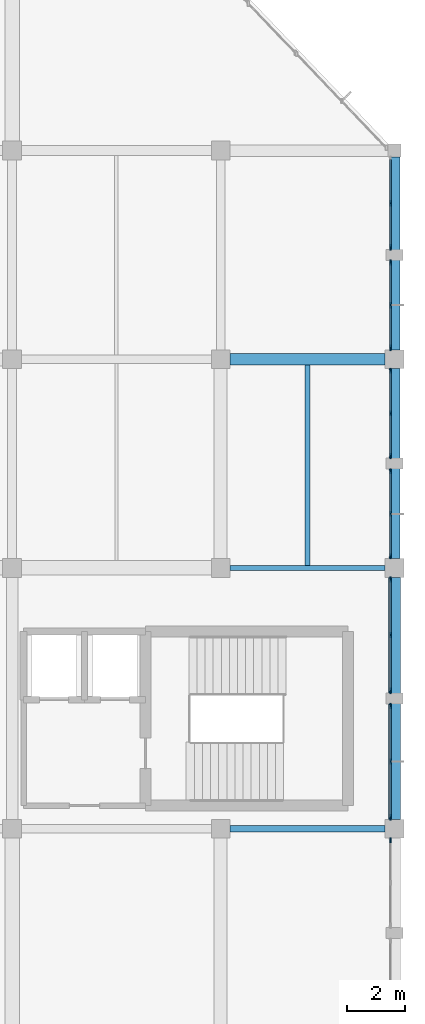
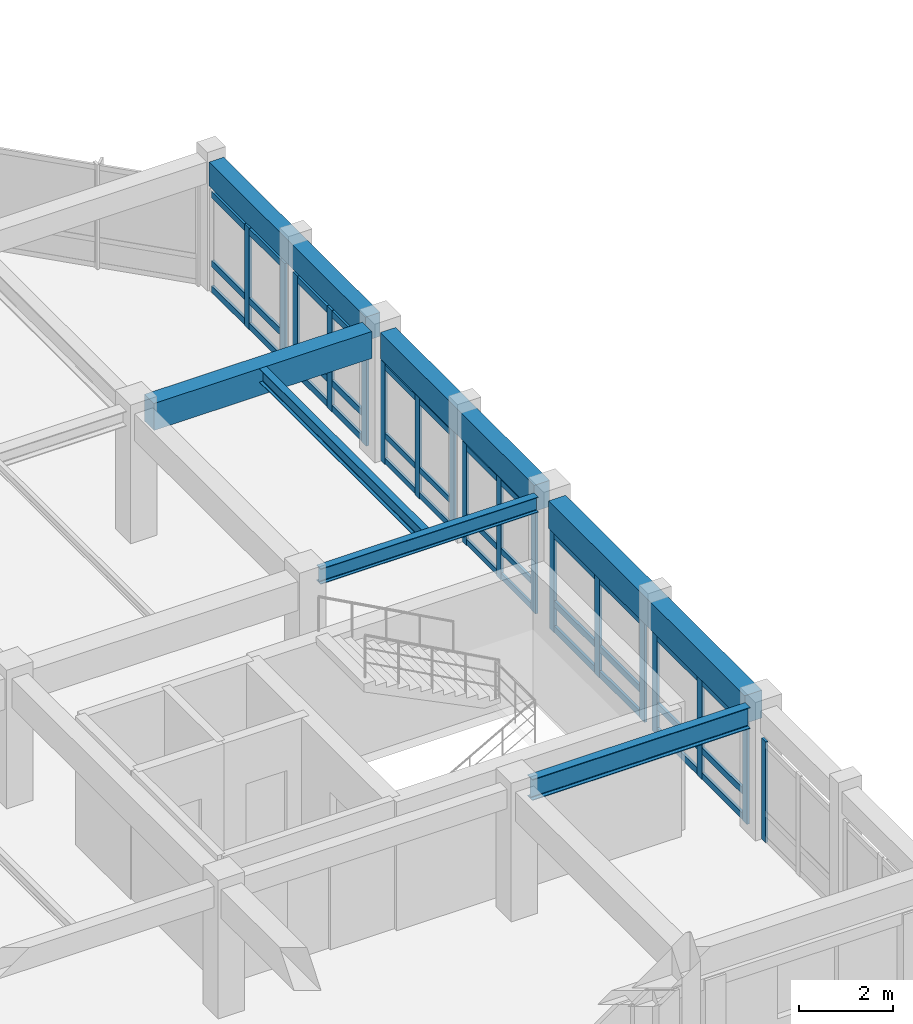
# One storey, part 6 of 18: 54 members, 7 beams, 7 elements without a shape of their own.
"""IFC4 building model written with IfcOpenShell, lengths in metres."""

from ifc_helpers import new_model, si_unit, direction, frame, origin, origin_2d, place, context, subcontext, project, spatial, rectangle, i_section, extrude, material, material_profile, profile_set, type_object, element, aggregate, save


model = new_model("IFC4")

# Units and contexts
model_context = context("Model", 3, precision=1e-05, world=origin(), true_north=direction((0.0, 1.0)))
body_context = subcontext(model_context, "Body", "Model", "MODEL_VIEW")
ifc_project = project(units=[si_unit("LENGTHUNIT", "METRE"), si_unit("AREAUNIT", "SQUARE_METRE"), si_unit("VOLUMEUNIT", "CUBIC_METRE"), si_unit("PLANEANGLEUNIT", "RADIAN"), si_unit("MASSUNIT", "GRAM", prefix="KILO")], contexts=[model_context])

# Site, building, storey
site_placement = place(None, origin())
site = spatial("IfcSite", under=ifc_project, at=site_placement, CompositionType="ELEMENT")
building_placement = place(site_placement, origin())
building = spatial("IfcBuilding", under=site, at=building_placement, Name="Clarverna Civic Hall", CompositionType="ELEMENT")
storey_placement = place(building_placement, frame((0.0, 0.0, 20.39990234375)))
storey = spatial("IfcBuildingStorey", under=building, at=storey_placement, Name="L05", CompositionType="ELEMENT", Elevation=20.39990234375)

# Beams
ifc_material_1 = material(Name="Concrete C35/45", Category="concrete")
ifc_material_profile_1 = material_profile(ifc_material_1, rectangle(XDim=0.39990234375, YDim=0.699951171875, at=origin_2d()), Name="RC 400x700")
ifc_profile_set_1 = profile_set([ifc_material_profile_1], Name="Concrete C35/45")
beam_type_1 = type_object("IfcBeamType", Name="B-RC5", PredefinedType="BEAM", material=ifc_profile_set_1)
beam_1_placement = place(storey_placement, frame((162.324951171875, 95.0, 2.989990234375), z_axis=(1.0, 0.0, 0.0), x_axis=(0.0, 1.0, 0.0)))
element("IfcBeam", 1, at=beam_1_placement, inside=storey, type_object=beam_type_1, Name="B-RC5-036", PredefinedType="BEAM", context=body_context, shape_type="SweptSolid", body=[
    extrude(rectangle(XDim=0.39990234375, YDim=0.699951171875, at=origin_2d()), origin(), (0.0, 0.0, 1.0), 5.35009765625),
])
ifc_material_profile_2 = material_profile(ifc_material_1, rectangle(XDim=0.419921875, YDim=0.719970703125, at=origin_2d()), Name="RC 420x720")
ifc_profile_set_2 = profile_set([ifc_material_profile_2], Name="Concrete C35/45")
beam_type_2 = type_object("IfcBeamType", Name="B-SP1", PredefinedType="SPANDREL", material=ifc_profile_set_2)
beam_2_placement = place(storey_placement, frame((168.0, 79.125, 2.97998046875), z_axis=(0.0, 1.0, 0.0), x_axis=(-1.0, 0.0, 0.0)))
element("IfcBeam", 2, at=beam_2_placement, inside=storey, type_object=beam_type_2, Name="B-SP1-149", PredefinedType="SPANDREL", context=body_context, shape_type="SweptSolid", body=[
    extrude(rectangle(XDim=0.419921875, YDim=0.719970703125, at=origin_2d()), origin(), (0.0, 0.0, 1.0), 8.35009765625),
])
ifc_material_profile_3 = material_profile(ifc_material_1, rectangle(XDim=0.3798828125, YDim=0.679931640625, at=origin_2d()), Name="RC 380x680")
ifc_profile_set_3 = profile_set([ifc_material_profile_3], Name="Concrete C35/45")
beam_type_3 = type_object("IfcBeamType", Name="B-SP2", PredefinedType="SPANDREL", material=ifc_profile_set_3)
beam_3_placement = place(storey_placement, frame((168.0, 88.125, 3.0), z_axis=(0.0, 1.0, 0.0), x_axis=(-1.0, 0.0, 0.0)))
element("IfcBeam", 3, at=beam_3_placement, inside=storey, type_object=beam_type_3, Name="B-SP2-156", PredefinedType="SPANDREL", context=body_context, shape_type="SweptSolid", body=[
    extrude(rectangle(XDim=0.3798828125, YDim=0.679931640625, at=origin_2d()), origin(), (0.0, 0.0, 1.0), 6.550048828125),
])
ifc_material_profile_4 = material_profile(ifc_material_1, rectangle(XDim=0.360107421875, YDim=0.6201171875, at=origin_2d()), Name="RC 360x620")
ifc_profile_set_4 = profile_set([ifc_material_profile_4], Name="Concrete C35/45")
beam_type_4 = type_object("IfcBeamType", Name="B-SP3", PredefinedType="SPANDREL", material=ifc_profile_set_4)
beam_4_placement = place(storey_placement, frame((168.0, 95.324951171875, 3.030029296875), z_axis=(0.0, 1.0, 0.0), x_axis=(-1.0, 0.0, 0.0)))
element("IfcBeam", 4, at=beam_4_placement, inside=storey, type_object=beam_type_4, Name="B-SP3-154", PredefinedType="SPANDREL", context=body_context, shape_type="SweptSolid", body=[
    extrude(rectangle(XDim=0.360107421875, YDim=0.6201171875, at=origin_2d()), origin(), (0.0, 0.0, 1.0), 6.650146484375),
])
ifc_material_2 = material(Name="Steel S355", Category="steel")
ifc_material_profile_5 = material_profile(ifc_material_2, i_section(OverallWidth=0.2099609375, OverallDepth=0.550048828125, WebThickness=0.010986328125, FlangeThickness=0.01708984375, FilletRadius=0.02392578125, at=origin_2d()), Name="IPE 550")
ifc_profile_set_5 = profile_set([ifc_material_profile_5], Name="Steel S355")
beam_type_5 = type_object("IfcBeamType", Name="B-ST11", PredefinedType="BEAM", material=ifc_profile_set_5)
beam_5_placement = place(storey_placement, frame((162.324951171875, 78.800048828125, 3.065185546875), z_axis=(1.0, 0.0, 0.0), x_axis=(0.0, 1.0, 0.0)))
element("IfcBeam", 5, at=beam_5_placement, inside=storey, type_object=beam_type_5, Name="B-ST11-023", PredefinedType="BEAM", context=body_context, shape_type="SweptSolid", body=[
    extrude(i_section(OverallWidth=0.2099609375, OverallDepth=0.550048828125, WebThickness=0.010986328125, FlangeThickness=0.01708984375, FilletRadius=0.02392578125, at=origin_2d()), origin(), (0.0, 0.0, 1.0), 5.35009765625),
])
ifc_material_profile_6 = material_profile(ifc_material_2, i_section(OverallWidth=0.179931640625, OverallDepth=0.39990234375, WebThickness=0.008544921875, FlangeThickness=0.013427734375, FilletRadius=0.02099609375, at=origin_2d()), Name="IPE 400")
ifc_profile_set_6 = profile_set([ifc_material_profile_6], Name="Steel S355")
beam_type_6 = type_object("IfcBeamType", Name="B-ST14", PredefinedType="BEAM", material=ifc_profile_set_6)
beam_6_placement = place(storey_placement, frame((162.324951171875, 87.800048828125, 3.14013671875), z_axis=(1.0, 0.0, 0.0), x_axis=(0.0, 1.0, 0.0)))
element("IfcBeam", 6, at=beam_6_placement, inside=storey, type_object=beam_type_6, Name="B-ST14-026", PredefinedType="BEAM", context=body_context, shape_type="SweptSolid", body=[
    extrude(i_section(OverallWidth=0.179931640625, OverallDepth=0.39990234375, WebThickness=0.008544921875, FlangeThickness=0.013427734375, FilletRadius=0.02099609375, at=origin_2d()), origin(), (0.0, 0.0, 1.0), 5.35009765625),
])

# Curtain wall, members
ifc_material_3 = material(Name="Anodised Bronze Architectural Aluminium", Category="aluminium")
curtain_wall_type = type_object("IfcCurtainWallType", Name="CW-01", PredefinedType="USERDEFINED", material=ifc_material_3)
curtain_wall_1_placement = place(storey_placement, origin())
curtain_wall_1 = element("IfcCurtainWall", 7, at=curtain_wall_1_placement, inside=storey, type_object=curtain_wall_type, Name="CW-01-107", ObjectType="UNITISED CURTAIN WALL", PredefinedType="USERDEFINED")
ifc_material_profile_7 = material_profile(ifc_material_3, rectangle(XDim=0.06005859375, YDim=0.179931640625, at=origin_2d()), Name="BRONZE 60x180")
ifc_profile_set_7 = profile_set([ifc_material_profile_7], Name="Anodised Bronze Architectural Aluminium")
member_type_1 = type_object("IfcMemberType", Name="CWM-01", PredefinedType="MULLION", material=ifc_profile_set_7)
member_1_placement = place(storey_placement, frame((167.860107421875, 94.60205078125, 0.0), z_axis=(0.0, 0.0, 1.0), x_axis=(1.0, 0.0, 0.0)))
member_1 = element("IfcMember", 8, at=member_1_placement, type_object=member_type_1, Name="CWM-01-201", PredefinedType="MULLION", context=body_context, shape_type="SweptSolid", body=[
    extrude(rectangle(XDim=0.06005859375, YDim=0.179931640625, at=origin_2d()), origin(), (0.0, 0.0, 1.0), 2.6201171875),
])
member_2_placement = place(storey_placement, frame((167.860107421875, 93.132568359375, 0.0), z_axis=(0.0, 0.0, 1.0), x_axis=(1.0, 0.0, 0.0)))
member_2 = element("IfcMember", 9, at=member_2_placement, type_object=member_type_1, Name="CWM-01-202", PredefinedType="MULLION", context=body_context, shape_type="SweptSolid", body=[
    extrude(rectangle(XDim=0.06005859375, YDim=0.179931640625, at=origin_2d()), origin(), (0.0, 0.0, 1.0), 2.6201171875),
])
member_3_placement = place(storey_placement, frame((167.860107421875, 91.6630859375, 0.0), z_axis=(0.0, 0.0, 1.0), x_axis=(1.0, 0.0, 0.0)))
member_3 = element("IfcMember", 10, at=member_3_placement, type_object=member_type_1, Name="CWM-01-203", PredefinedType="MULLION", context=body_context, shape_type="SweptSolid", body=[
    extrude(rectangle(XDim=0.06005859375, YDim=0.179931640625, at=origin_2d()), origin(), (0.0, 0.0, 1.0), 2.6201171875),
])

curtain_wall_2_placement = place(storey_placement, origin())
curtain_wall_2 = element("IfcCurtainWall", 11, at=curtain_wall_2_placement, inside=storey, type_object=curtain_wall_type, Name="CW-01-108", ObjectType="UNITISED CURTAIN WALL", PredefinedType="USERDEFINED")
member_4_placement = place(storey_placement, frame((167.860107421875, 91.136962890625, 0.0), z_axis=(0.0, 0.0, 1.0), x_axis=(1.0, 0.0, 0.0)))
member_4 = element("IfcMember", 12, at=member_4_placement, type_object=member_type_1, Name="CWM-01-204", PredefinedType="MULLION", context=body_context, shape_type="SweptSolid", body=[
    extrude(rectangle(XDim=0.06005859375, YDim=0.179931640625, at=origin_2d()), origin(), (0.0, 0.0, 1.0), 2.6201171875),
])
member_5_placement = place(storey_placement, frame((167.860107421875, 89.66748046875, 0.0), z_axis=(0.0, 0.0, 1.0), x_axis=(1.0, 0.0, 0.0)))
member_5 = element("IfcMember", 13, at=member_5_placement, type_object=member_type_1, Name="CWM-01-205", PredefinedType="MULLION", context=body_context, shape_type="SweptSolid", body=[
    extrude(rectangle(XDim=0.06005859375, YDim=0.179931640625, at=origin_2d()), origin(), (0.0, 0.0, 1.0), 2.6201171875),
])
member_6_placement = place(storey_placement, frame((167.860107421875, 88.197998046875, 0.0), z_axis=(0.0, 0.0, 1.0), x_axis=(1.0, 0.0, 0.0)))
member_6 = element("IfcMember", 14, at=member_6_placement, type_object=member_type_1, Name="CWM-01-206", PredefinedType="MULLION", context=body_context, shape_type="SweptSolid", body=[
    extrude(rectangle(XDim=0.06005859375, YDim=0.179931640625, at=origin_2d()), origin(), (0.0, 0.0, 1.0), 2.6201171875),
])

# Curtain wall, member
curtain_wall_3_placement = place(storey_placement, origin())
curtain_wall_3 = element("IfcCurtainWall", 15, at=curtain_wall_3_placement, inside=storey, type_object=curtain_wall_type, Name="CW-01-111", ObjectType="UNITISED CURTAIN WALL", PredefinedType="USERDEFINED")
member_7_placement = place(storey_placement, frame((167.860107421875, 78.402099609375, 0.0), z_axis=(0.0, 0.0, 1.0), x_axis=(1.0, 0.0, 0.0)))
member_7 = element("IfcMember", 16, at=member_7_placement, type_object=member_type_1, Name="CWM-01-207", PredefinedType="MULLION", context=body_context, shape_type="SweptSolid", body=[
    extrude(rectangle(XDim=0.06005859375, YDim=0.179931640625, at=origin_2d()), origin(), (0.0, 0.0, 1.0), 2.6201171875),
])
aggregate(curtain_wall_3, [member_7])

# Curtain wall, members
curtain_wall_4_placement = place(storey_placement, origin())
curtain_wall_4 = element("IfcCurtainWall", 17, at=curtain_wall_4_placement, inside=storey, type_object=curtain_wall_type, Name="CW-01-105", ObjectType="UNITISED CURTAIN WALL", PredefinedType="USERDEFINED")
ifc_material_profile_8 = material_profile(ifc_material_3, rectangle(XDim=0.06494140625, YDim=0.199951171875, at=origin_2d()), Name="BRONZE 65x200")
ifc_profile_set_8 = profile_set([ifc_material_profile_8], Name="Anodised Bronze Architectural Aluminium")
member_type_2 = type_object("IfcMemberType", Name="CWM-03", PredefinedType="MULLION", material=ifc_profile_set_8)
member_8_placement = place(storey_placement, frame((167.860107421875, 100.382568359375, 0.0), z_axis=(0.0, 0.0, 1.0), x_axis=(1.0, 0.0, 0.0)))
member_8 = element("IfcMember", 18, at=member_8_placement, type_object=member_type_2, Name="CWM-03-203", PredefinedType="MULLION", context=body_context, shape_type="SweptSolid", body=[
    extrude(rectangle(XDim=0.06494140625, YDim=0.199951171875, at=origin_2d()), origin(), (0.0, 0.0, 1.0), 2.64013671875),
])
member_9_placement = place(storey_placement, frame((167.860107421875, 98.863037109375, 0.0), z_axis=(0.0, 0.0, 1.0), x_axis=(1.0, 0.0, 0.0)))
member_9 = element("IfcMember", 19, at=member_9_placement, type_object=member_type_2, Name="CWM-03-204", PredefinedType="MULLION", context=body_context, shape_type="SweptSolid", body=[
    extrude(rectangle(XDim=0.06494140625, YDim=0.199951171875, at=origin_2d()), origin(), (0.0, 0.0, 1.0), 2.64013671875),
])

curtain_wall_5_placement = place(storey_placement, origin())
curtain_wall_5 = element("IfcCurtainWall", 20, at=curtain_wall_5_placement, inside=storey, type_object=curtain_wall_type, Name="CW-01-106", ObjectType="UNITISED CURTAIN WALL", PredefinedType="USERDEFINED")
member_10_placement = place(storey_placement, frame((167.860107421875, 98.3369140625, 0.0), z_axis=(0.0, 0.0, 1.0), x_axis=(1.0, 0.0, 0.0)))
member_10 = element("IfcMember", 21, at=member_10_placement, type_object=member_type_2, Name="CWM-03-205", PredefinedType="MULLION", context=body_context, shape_type="SweptSolid", body=[
    extrude(rectangle(XDim=0.06494140625, YDim=0.199951171875, at=origin_2d()), origin(), (0.0, 0.0, 1.0), 2.64013671875),
])
member_11_placement = place(storey_placement, frame((167.860107421875, 96.867431640625, 0.0), z_axis=(0.0, 0.0, 1.0), x_axis=(1.0, 0.0, 0.0)))
member_11 = element("IfcMember", 22, at=member_11_placement, type_object=member_type_2, Name="CWM-03-206", PredefinedType="MULLION", context=body_context, shape_type="SweptSolid", body=[
    extrude(rectangle(XDim=0.06494140625, YDim=0.199951171875, at=origin_2d()), origin(), (0.0, 0.0, 1.0), 2.64013671875),
])
member_12_placement = place(storey_placement, frame((167.860107421875, 95.39794921875, 0.0), z_axis=(0.0, 0.0, 1.0), x_axis=(1.0, 0.0, 0.0)))
member_12 = element("IfcMember", 23, at=member_12_placement, type_object=member_type_2, Name="CWM-03-207", PredefinedType="MULLION", context=body_context, shape_type="SweptSolid", body=[
    extrude(rectangle(XDim=0.06494140625, YDim=0.199951171875, at=origin_2d()), origin(), (0.0, 0.0, 1.0), 2.64013671875),
])

curtain_wall_6_placement = place(storey_placement, origin())
curtain_wall_6 = element("IfcCurtainWall", 24, at=curtain_wall_6_placement, inside=storey, type_object=curtain_wall_type, Name="CW-01-109", ObjectType="UNITISED CURTAIN WALL", PredefinedType="USERDEFINED")
member_13_placement = place(storey_placement, frame((167.860107421875, 87.402099609375, 0.0), z_axis=(0.0, 0.0, 1.0), x_axis=(1.0, 0.0, 0.0)))
member_13 = element("IfcMember", 25, at=member_13_placement, type_object=member_type_2, Name="CWM-03-208", PredefinedType="MULLION", context=body_context, shape_type="SweptSolid", body=[
    extrude(rectangle(XDim=0.06494140625, YDim=0.199951171875, at=origin_2d()), origin(), (0.0, 0.0, 1.0), 2.6201171875),
])
member_14_placement = place(storey_placement, frame((167.860107421875, 85.482421875, 0.0), z_axis=(0.0, 0.0, 1.0), x_axis=(1.0, 0.0, 0.0)))
member_14 = element("IfcMember", 26, at=member_14_placement, type_object=member_type_2, Name="CWM-03-209", PredefinedType="MULLION", context=body_context, shape_type="SweptSolid", body=[
    extrude(rectangle(XDim=0.06494140625, YDim=0.199951171875, at=origin_2d()), origin(), (0.0, 0.0, 1.0), 2.6201171875),
])
member_15_placement = place(storey_placement, frame((167.860107421875, 83.56298828125, 0.0), z_axis=(0.0, 0.0, 1.0), x_axis=(1.0, 0.0, 0.0)))
member_15 = element("IfcMember", 27, at=member_15_placement, type_object=member_type_2, Name="CWM-03-210", PredefinedType="MULLION", context=body_context, shape_type="SweptSolid", body=[
    extrude(rectangle(XDim=0.06494140625, YDim=0.199951171875, at=origin_2d()), origin(), (0.0, 0.0, 1.0), 2.6201171875),
])

curtain_wall_7_placement = place(storey_placement, origin())
curtain_wall_7 = element("IfcCurtainWall", 28, at=curtain_wall_7_placement, inside=storey, type_object=curtain_wall_type, Name="CW-01-110", ObjectType="UNITISED CURTAIN WALL", PredefinedType="USERDEFINED")
member_16_placement = place(storey_placement, frame((167.860107421875, 83.037109375, 0.0), z_axis=(0.0, 0.0, 1.0), x_axis=(1.0, 0.0, 0.0)))
member_16 = element("IfcMember", 29, at=member_16_placement, type_object=member_type_2, Name="CWM-03-211", PredefinedType="MULLION", context=body_context, shape_type="SweptSolid", body=[
    extrude(rectangle(XDim=0.06494140625, YDim=0.199951171875, at=origin_2d()), origin(), (0.0, 0.0, 1.0), 2.6201171875),
])
member_17_placement = place(storey_placement, frame((167.860107421875, 81.117431640625, 0.0), z_axis=(0.0, 0.0, 1.0), x_axis=(1.0, 0.0, 0.0)))
member_17 = element("IfcMember", 30, at=member_17_placement, type_object=member_type_2, Name="CWM-03-212", PredefinedType="MULLION", context=body_context, shape_type="SweptSolid", body=[
    extrude(rectangle(XDim=0.06494140625, YDim=0.199951171875, at=origin_2d()), origin(), (0.0, 0.0, 1.0), 2.6201171875),
])
member_18_placement = place(storey_placement, frame((167.860107421875, 79.197998046875, 0.0), z_axis=(0.0, 0.0, 1.0), x_axis=(1.0, 0.0, 0.0)))
member_18 = element("IfcMember", 31, at=member_18_placement, type_object=member_type_2, Name="CWM-03-213", PredefinedType="MULLION", context=body_context, shape_type="SweptSolid", body=[
    extrude(rectangle(XDim=0.06494140625, YDim=0.199951171875, at=origin_2d()), origin(), (0.0, 0.0, 1.0), 2.6201171875),
])

# Member
ifc_material_profile_9 = material_profile(ifc_material_3, rectangle(XDim=0.06005859375, YDim=0.14990234375, at=origin_2d()), Name="BRONZE 60x150")
ifc_profile_set_9 = profile_set([ifc_material_profile_9], Name="Anodised Bronze Architectural Aluminium")
member_type_3 = type_object("IfcMemberType", Name="CWT-01", PredefinedType="USERDEFINED", material=ifc_profile_set_9)
member_19_placement = place(storey_placement, frame((167.860107421875, 94.5869140625, 0.09521484375), z_axis=(0.0, -1.0, 0.0), x_axis=(1.0, 0.0, 0.0)))
member_19 = element("IfcMember", 32, at=member_19_placement, type_object=member_type_3, Name="CWT-01-430", ObjectType="TRANSOM", PredefinedType="USERDEFINED", context=body_context, shape_type="SweptSolid", body=[
    extrude(rectangle(XDim=0.06005859375, YDim=0.14990234375, at=origin_2d()), origin(), (0.0, 0.0, 1.0), 1.439453125),
])

member_20_placement = place(storey_placement, frame((167.860107421875, 94.5869140625, 0.75), z_axis=(0.0, -1.0, 0.0), x_axis=(1.0, 0.0, 0.0)))
member_20 = element("IfcMember", 33, at=member_20_placement, type_object=member_type_3, Name="CWT-01-431", ObjectType="TRANSOM", PredefinedType="USERDEFINED", context=body_context, shape_type="SweptSolid", body=[
    extrude(rectangle(XDim=0.06005859375, YDim=0.14990234375, at=origin_2d()), origin(), (0.0, 0.0, 1.0), 1.439453125),
])

member_21_placement = place(storey_placement, frame((167.860107421875, 94.5869140625, 2.525146484375), z_axis=(0.0, -1.0, 0.0), x_axis=(1.0, 0.0, 0.0)))
member_21 = element("IfcMember", 34, at=member_21_placement, type_object=member_type_3, Name="CWT-01-432", ObjectType="TRANSOM", PredefinedType="USERDEFINED", context=body_context, shape_type="SweptSolid", body=[
    extrude(rectangle(XDim=0.06005859375, YDim=0.14990234375, at=origin_2d()), origin(), (0.0, 0.0, 1.0), 1.439453125),
])

member_22_placement = place(storey_placement, frame((167.860107421875, 93.117431640625, 0.09521484375), z_axis=(0.0, -1.0, 0.0), x_axis=(1.0, 0.0, 0.0)))
member_22 = element("IfcMember", 35, at=member_22_placement, type_object=member_type_3, Name="CWT-01-433", ObjectType="TRANSOM", PredefinedType="USERDEFINED", context=body_context, shape_type="SweptSolid", body=[
    extrude(rectangle(XDim=0.06005859375, YDim=0.14990234375, at=origin_2d()), origin(), (0.0, 0.0, 1.0), 1.439453125),
])

member_23_placement = place(storey_placement, frame((167.860107421875, 93.117431640625, 0.75), z_axis=(0.0, -1.0, 0.0), x_axis=(1.0, 0.0, 0.0)))
member_23 = element("IfcMember", 36, at=member_23_placement, type_object=member_type_3, Name="CWT-01-434", ObjectType="TRANSOM", PredefinedType="USERDEFINED", context=body_context, shape_type="SweptSolid", body=[
    extrude(rectangle(XDim=0.06005859375, YDim=0.14990234375, at=origin_2d()), origin(), (0.0, 0.0, 1.0), 1.439453125),
])

member_24_placement = place(storey_placement, frame((167.860107421875, 93.117431640625, 2.525146484375), z_axis=(0.0, -1.0, 0.0), x_axis=(1.0, 0.0, 0.0)))
member_24 = element("IfcMember", 37, at=member_24_placement, type_object=member_type_3, Name="CWT-01-435", ObjectType="TRANSOM", PredefinedType="USERDEFINED", context=body_context, shape_type="SweptSolid", body=[
    extrude(rectangle(XDim=0.06005859375, YDim=0.14990234375, at=origin_2d()), origin(), (0.0, 0.0, 1.0), 1.439453125),
])

aggregate(curtain_wall_1, [member_1, member_2, member_3, member_19, member_20, member_21, member_22, member_23, member_24])

member_25_placement = place(storey_placement, frame((167.860107421875, 91.1220703125, 0.09521484375), z_axis=(0.0, -1.0, 0.0), x_axis=(1.0, 0.0, 0.0)))
member_25 = element("IfcMember", 38, at=member_25_placement, type_object=member_type_3, Name="CWT-01-436", ObjectType="TRANSOM", PredefinedType="USERDEFINED", context=body_context, shape_type="SweptSolid", body=[
    extrude(rectangle(XDim=0.06005859375, YDim=0.14990234375, at=origin_2d()), origin(), (0.0, 0.0, 1.0), 1.439453125),
])

member_26_placement = place(storey_placement, frame((167.860107421875, 91.1220703125, 0.75), z_axis=(0.0, -1.0, 0.0), x_axis=(1.0, 0.0, 0.0)))
member_26 = element("IfcMember", 39, at=member_26_placement, type_object=member_type_3, Name="CWT-01-437", ObjectType="TRANSOM", PredefinedType="USERDEFINED", context=body_context, shape_type="SweptSolid", body=[
    extrude(rectangle(XDim=0.06005859375, YDim=0.14990234375, at=origin_2d()), origin(), (0.0, 0.0, 1.0), 1.439453125),
])

member_27_placement = place(storey_placement, frame((167.860107421875, 91.1220703125, 2.525146484375), z_axis=(0.0, -1.0, 0.0), x_axis=(1.0, 0.0, 0.0)))
member_27 = element("IfcMember", 40, at=member_27_placement, type_object=member_type_3, Name="CWT-01-438", ObjectType="TRANSOM", PredefinedType="USERDEFINED", context=body_context, shape_type="SweptSolid", body=[
    extrude(rectangle(XDim=0.06005859375, YDim=0.14990234375, at=origin_2d()), origin(), (0.0, 0.0, 1.0), 1.439453125),
])

member_28_placement = place(storey_placement, frame((167.860107421875, 89.652587890625, 0.09521484375), z_axis=(0.0, -1.0, 0.0), x_axis=(1.0, 0.0, 0.0)))
member_28 = element("IfcMember", 41, at=member_28_placement, type_object=member_type_3, Name="CWT-01-439", ObjectType="TRANSOM", PredefinedType="USERDEFINED", context=body_context, shape_type="SweptSolid", body=[
    extrude(rectangle(XDim=0.06005859375, YDim=0.14990234375, at=origin_2d()), origin(), (0.0, 0.0, 1.0), 1.439697265625),
])

member_29_placement = place(storey_placement, frame((167.860107421875, 89.652587890625, 0.75), z_axis=(0.0, -1.0, 0.0), x_axis=(1.0, 0.0, 0.0)))
member_29 = element("IfcMember", 42, at=member_29_placement, type_object=member_type_3, Name="CWT-01-440", ObjectType="TRANSOM", PredefinedType="USERDEFINED", context=body_context, shape_type="SweptSolid", body=[
    extrude(rectangle(XDim=0.06005859375, YDim=0.14990234375, at=origin_2d()), origin(), (0.0, 0.0, 1.0), 1.439697265625),
])

member_30_placement = place(storey_placement, frame((167.860107421875, 89.652587890625, 2.525146484375), z_axis=(0.0, -1.0, 0.0), x_axis=(1.0, 0.0, 0.0)))
member_30 = element("IfcMember", 43, at=member_30_placement, type_object=member_type_3, Name="CWT-01-441", ObjectType="TRANSOM", PredefinedType="USERDEFINED", context=body_context, shape_type="SweptSolid", body=[
    extrude(rectangle(XDim=0.06005859375, YDim=0.14990234375, at=origin_2d()), origin(), (0.0, 0.0, 1.0), 1.439697265625),
])

aggregate(curtain_wall_2, [member_4, member_5, member_6, member_25, member_26, member_27, member_28, member_29, member_30])

ifc_material_profile_10 = material_profile(ifc_material_3, rectangle(XDim=0.06494140625, YDim=0.169921875, at=origin_2d()), Name="BRONZE 65x170")
ifc_profile_set_10 = profile_set([ifc_material_profile_10], Name="Anodised Bronze Architectural Aluminium")
member_type_4 = type_object("IfcMemberType", Name="CWT-03", PredefinedType="USERDEFINED", material=ifc_profile_set_10)
member_31_placement = place(storey_placement, frame((167.860107421875, 101.886962890625, 0.09521484375), z_axis=(0.0, -1.0, 0.0), x_axis=(1.0, 0.0, 0.0)))
member_31 = element("IfcMember", 44, at=member_31_placement, type_object=member_type_4, Name="CWT-03-430", ObjectType="TRANSOM", PredefinedType="USERDEFINED", context=body_context, shape_type="SweptSolid", body=[
    extrude(rectangle(XDim=0.06494140625, YDim=0.169921875, at=origin_2d()), origin(), (0.0, 0.0, 1.0), 1.489501953125),
])

member_32_placement = place(storey_placement, frame((167.860107421875, 101.886962890625, 0.75), z_axis=(0.0, -1.0, 0.0), x_axis=(1.0, 0.0, 0.0)))
member_32 = element("IfcMember", 45, at=member_32_placement, type_object=member_type_4, Name="CWT-03-431", ObjectType="TRANSOM", PredefinedType="USERDEFINED", context=body_context, shape_type="SweptSolid", body=[
    extrude(rectangle(XDim=0.06494140625, YDim=0.169921875, at=origin_2d()), origin(), (0.0, 0.0, 1.0), 1.489501953125),
])

member_33_placement = place(storey_placement, frame((167.860107421875, 101.886962890625, 2.545166015625), z_axis=(0.0, -1.0, 0.0), x_axis=(1.0, 0.0, 0.0)))
member_33 = element("IfcMember", 46, at=member_33_placement, type_object=member_type_4, Name="CWT-03-432", ObjectType="TRANSOM", PredefinedType="USERDEFINED", context=body_context, shape_type="SweptSolid", body=[
    extrude(rectangle(XDim=0.06494140625, YDim=0.169921875, at=origin_2d()), origin(), (0.0, 0.0, 1.0), 1.489501953125),
])

member_34_placement = place(storey_placement, frame((167.860107421875, 100.367431640625, 0.09521484375), z_axis=(0.0, -1.0, 0.0), x_axis=(1.0, 0.0, 0.0)))
member_34 = element("IfcMember", 47, at=member_34_placement, type_object=member_type_4, Name="CWT-03-433", ObjectType="TRANSOM", PredefinedType="USERDEFINED", context=body_context, shape_type="SweptSolid", body=[
    extrude(rectangle(XDim=0.06494140625, YDim=0.169921875, at=origin_2d()), origin(), (0.0, 0.0, 1.0), 1.489501953125),
])

member_35_placement = place(storey_placement, frame((167.860107421875, 100.367431640625, 0.75), z_axis=(0.0, -1.0, 0.0), x_axis=(1.0, 0.0, 0.0)))
member_35 = element("IfcMember", 48, at=member_35_placement, type_object=member_type_4, Name="CWT-03-434", ObjectType="TRANSOM", PredefinedType="USERDEFINED", context=body_context, shape_type="SweptSolid", body=[
    extrude(rectangle(XDim=0.06494140625, YDim=0.169921875, at=origin_2d()), origin(), (0.0, 0.0, 1.0), 1.489501953125),
])

member_36_placement = place(storey_placement, frame((167.860107421875, 100.367431640625, 2.545166015625), z_axis=(0.0, -1.0, 0.0), x_axis=(1.0, 0.0, 0.0)))
member_36 = element("IfcMember", 49, at=member_36_placement, type_object=member_type_4, Name="CWT-03-435", ObjectType="TRANSOM", PredefinedType="USERDEFINED", context=body_context, shape_type="SweptSolid", body=[
    extrude(rectangle(XDim=0.06494140625, YDim=0.169921875, at=origin_2d()), origin(), (0.0, 0.0, 1.0), 1.489501953125),
])

aggregate(curtain_wall_4, [member_8, member_9, member_31, member_32, member_33, member_34, member_35, member_36])

member_37_placement = place(storey_placement, frame((167.860107421875, 98.322021484375, 0.09521484375), z_axis=(0.0, -1.0, 0.0), x_axis=(1.0, 0.0, 0.0)))
member_37 = element("IfcMember", 50, at=member_37_placement, type_object=member_type_4, Name="CWT-03-436", ObjectType="TRANSOM", PredefinedType="USERDEFINED", context=body_context, shape_type="SweptSolid", body=[
    extrude(rectangle(XDim=0.06494140625, YDim=0.169921875, at=origin_2d()), origin(), (0.0, 0.0, 1.0), 1.439453125),
])

member_38_placement = place(storey_placement, frame((167.860107421875, 98.322021484375, 0.75), z_axis=(0.0, -1.0, 0.0), x_axis=(1.0, 0.0, 0.0)))
member_38 = element("IfcMember", 51, at=member_38_placement, type_object=member_type_4, Name="CWT-03-437", ObjectType="TRANSOM", PredefinedType="USERDEFINED", context=body_context, shape_type="SweptSolid", body=[
    extrude(rectangle(XDim=0.06494140625, YDim=0.169921875, at=origin_2d()), origin(), (0.0, 0.0, 1.0), 1.439453125),
])

member_39_placement = place(storey_placement, frame((167.860107421875, 98.322021484375, 2.545166015625), z_axis=(0.0, -1.0, 0.0), x_axis=(1.0, 0.0, 0.0)))
member_39 = element("IfcMember", 52, at=member_39_placement, type_object=member_type_4, Name="CWT-03-438", ObjectType="TRANSOM", PredefinedType="USERDEFINED", context=body_context, shape_type="SweptSolid", body=[
    extrude(rectangle(XDim=0.06494140625, YDim=0.169921875, at=origin_2d()), origin(), (0.0, 0.0, 1.0), 1.439453125),
])

member_40_placement = place(storey_placement, frame((167.860107421875, 96.8525390625, 0.09521484375), z_axis=(0.0, -1.0, 0.0), x_axis=(1.0, 0.0, 0.0)))
member_40 = element("IfcMember", 53, at=member_40_placement, type_object=member_type_4, Name="CWT-03-439", ObjectType="TRANSOM", PredefinedType="USERDEFINED", context=body_context, shape_type="SweptSolid", body=[
    extrude(rectangle(XDim=0.06494140625, YDim=0.169921875, at=origin_2d()), origin(), (0.0, 0.0, 1.0), 1.439453125),
])

member_41_placement = place(storey_placement, frame((167.860107421875, 96.8525390625, 0.75), z_axis=(0.0, -1.0, 0.0), x_axis=(1.0, 0.0, 0.0)))
member_41 = element("IfcMember", 54, at=member_41_placement, type_object=member_type_4, Name="CWT-03-440", ObjectType="TRANSOM", PredefinedType="USERDEFINED", context=body_context, shape_type="SweptSolid", body=[
    extrude(rectangle(XDim=0.06494140625, YDim=0.169921875, at=origin_2d()), origin(), (0.0, 0.0, 1.0), 1.439453125),
])

member_42_placement = place(storey_placement, frame((167.860107421875, 96.8525390625, 2.545166015625), z_axis=(0.0, -1.0, 0.0), x_axis=(1.0, 0.0, 0.0)))
member_42 = element("IfcMember", 55, at=member_42_placement, type_object=member_type_4, Name="CWT-03-441", ObjectType="TRANSOM", PredefinedType="USERDEFINED", context=body_context, shape_type="SweptSolid", body=[
    extrude(rectangle(XDim=0.06494140625, YDim=0.169921875, at=origin_2d()), origin(), (0.0, 0.0, 1.0), 1.439453125),
])

aggregate(curtain_wall_5, [member_10, member_11, member_12, member_37, member_38, member_39, member_40, member_41, member_42])

member_43_placement = place(storey_placement, frame((167.860107421875, 87.386962890625, 0.09521484375), z_axis=(0.0, -1.0, 0.0), x_axis=(1.0, 0.0, 0.0)))
member_43 = element("IfcMember", 56, at=member_43_placement, type_object=member_type_4, Name="CWT-03-442", ObjectType="TRANSOM", PredefinedType="USERDEFINED", context=body_context, shape_type="SweptSolid", body=[
    extrude(rectangle(XDim=0.06494140625, YDim=0.169921875, at=origin_2d()), origin(), (0.0, 0.0, 1.0), 1.889404296875),
])

member_44_placement = place(storey_placement, frame((167.860107421875, 87.386962890625, 0.75), z_axis=(0.0, -1.0, 0.0), x_axis=(1.0, 0.0, 0.0)))
member_44 = element("IfcMember", 57, at=member_44_placement, type_object=member_type_4, Name="CWT-03-443", ObjectType="TRANSOM", PredefinedType="USERDEFINED", context=body_context, shape_type="SweptSolid", body=[
    extrude(rectangle(XDim=0.06494140625, YDim=0.169921875, at=origin_2d()), origin(), (0.0, 0.0, 1.0), 1.889404296875),
])

member_45_placement = place(storey_placement, frame((167.860107421875, 87.386962890625, 2.525146484375), z_axis=(0.0, -1.0, 0.0), x_axis=(1.0, 0.0, 0.0)))
member_45 = element("IfcMember", 58, at=member_45_placement, type_object=member_type_4, Name="CWT-03-444", ObjectType="TRANSOM", PredefinedType="USERDEFINED", context=body_context, shape_type="SweptSolid", body=[
    extrude(rectangle(XDim=0.06494140625, YDim=0.169921875, at=origin_2d()), origin(), (0.0, 0.0, 1.0), 1.889404296875),
])

member_46_placement = place(storey_placement, frame((167.860107421875, 85.467529296875, 0.09521484375), z_axis=(0.0, -1.0, 0.0), x_axis=(1.0, 0.0, 0.0)))
member_46 = element("IfcMember", 59, at=member_46_placement, type_object=member_type_4, Name="CWT-03-445", ObjectType="TRANSOM", PredefinedType="USERDEFINED", context=body_context, shape_type="SweptSolid", body=[
    extrude(rectangle(XDim=0.06494140625, YDim=0.169921875, at=origin_2d()), origin(), (0.0, 0.0, 1.0), 1.8896484375),
])

member_47_placement = place(storey_placement, frame((167.860107421875, 85.467529296875, 0.75), z_axis=(0.0, -1.0, 0.0), x_axis=(1.0, 0.0, 0.0)))
member_47 = element("IfcMember", 60, at=member_47_placement, type_object=member_type_4, Name="CWT-03-446", ObjectType="TRANSOM", PredefinedType="USERDEFINED", context=body_context, shape_type="SweptSolid", body=[
    extrude(rectangle(XDim=0.06494140625, YDim=0.169921875, at=origin_2d()), origin(), (0.0, 0.0, 1.0), 1.8896484375),
])

member_48_placement = place(storey_placement, frame((167.860107421875, 85.467529296875, 2.525146484375), z_axis=(0.0, -1.0, 0.0), x_axis=(1.0, 0.0, 0.0)))
member_48 = element("IfcMember", 61, at=member_48_placement, type_object=member_type_4, Name="CWT-03-447", ObjectType="TRANSOM", PredefinedType="USERDEFINED", context=body_context, shape_type="SweptSolid", body=[
    extrude(rectangle(XDim=0.06494140625, YDim=0.169921875, at=origin_2d()), origin(), (0.0, 0.0, 1.0), 1.8896484375),
])

aggregate(curtain_wall_6, [member_13, member_14, member_15, member_43, member_44, member_45, member_46, member_47, member_48])

member_49_placement = place(storey_placement, frame((167.860107421875, 83.02197265625, 0.09521484375), z_axis=(0.0, -1.0, 0.0), x_axis=(1.0, 0.0, 0.0)))
member_49 = element("IfcMember", 62, at=member_49_placement, type_object=member_type_4, Name="CWT-03-448", ObjectType="TRANSOM", PredefinedType="USERDEFINED", context=body_context, shape_type="SweptSolid", body=[
    extrude(rectangle(XDim=0.06494140625, YDim=0.169921875, at=origin_2d()), origin(), (0.0, 0.0, 1.0), 1.889404296875),
])

member_50_placement = place(storey_placement, frame((167.860107421875, 83.02197265625, 0.75), z_axis=(0.0, -1.0, 0.0), x_axis=(1.0, 0.0, 0.0)))
member_50 = element("IfcMember", 63, at=member_50_placement, type_object=member_type_4, Name="CWT-03-449", ObjectType="TRANSOM", PredefinedType="USERDEFINED", context=body_context, shape_type="SweptSolid", body=[
    extrude(rectangle(XDim=0.06494140625, YDim=0.169921875, at=origin_2d()), origin(), (0.0, 0.0, 1.0), 1.889404296875),
])

member_51_placement = place(storey_placement, frame((167.860107421875, 83.02197265625, 2.525146484375), z_axis=(0.0, -1.0, 0.0), x_axis=(1.0, 0.0, 0.0)))
member_51 = element("IfcMember", 64, at=member_51_placement, type_object=member_type_4, Name="CWT-03-450", ObjectType="TRANSOM", PredefinedType="USERDEFINED", context=body_context, shape_type="SweptSolid", body=[
    extrude(rectangle(XDim=0.06494140625, YDim=0.169921875, at=origin_2d()), origin(), (0.0, 0.0, 1.0), 1.889404296875),
])

member_52_placement = place(storey_placement, frame((167.860107421875, 81.1025390625, 0.09521484375), z_axis=(0.0, -1.0, 0.0), x_axis=(1.0, 0.0, 0.0)))
member_52 = element("IfcMember", 65, at=member_52_placement, type_object=member_type_4, Name="CWT-03-451", ObjectType="TRANSOM", PredefinedType="USERDEFINED", context=body_context, shape_type="SweptSolid", body=[
    extrude(rectangle(XDim=0.06494140625, YDim=0.169921875, at=origin_2d()), origin(), (0.0, 0.0, 1.0), 1.8896484375),
])

member_53_placement = place(storey_placement, frame((167.860107421875, 81.1025390625, 0.75), z_axis=(0.0, -1.0, 0.0), x_axis=(1.0, 0.0, 0.0)))
member_53 = element("IfcMember", 66, at=member_53_placement, type_object=member_type_4, Name="CWT-03-452", ObjectType="TRANSOM", PredefinedType="USERDEFINED", context=body_context, shape_type="SweptSolid", body=[
    extrude(rectangle(XDim=0.06494140625, YDim=0.169921875, at=origin_2d()), origin(), (0.0, 0.0, 1.0), 1.8896484375),
])

member_54_placement = place(storey_placement, frame((167.860107421875, 81.1025390625, 2.525146484375), z_axis=(0.0, -1.0, 0.0), x_axis=(1.0, 0.0, 0.0)))
member_54 = element("IfcMember", 67, at=member_54_placement, type_object=member_type_4, Name="CWT-03-453", ObjectType="TRANSOM", PredefinedType="USERDEFINED", context=body_context, shape_type="SweptSolid", body=[
    extrude(rectangle(XDim=0.06494140625, YDim=0.169921875, at=origin_2d()), origin(), (0.0, 0.0, 1.0), 1.8896484375),
])

aggregate(curtain_wall_7, [member_16, member_17, member_18, member_49, member_50, member_51, member_52, member_53, member_54])

# Beam
ifc_material_profile_11 = material_profile(ifc_material_2, i_section(OverallWidth=0.169921875, OverallDepth=0.360107421875, WebThickness=0.008056640625, FlangeThickness=0.0126953125, FilletRadius=0.01806640625, at=origin_2d()), Name="IPE 360")
ifc_profile_set_11 = profile_set([ifc_material_profile_11], Name="Steel S355")
beam_type_7 = type_object("IfcBeamType", Name="J-ST1", PredefinedType="JOIST", material=ifc_profile_set_11)
beam_7_placement = place(storey_placement, frame((165.0, 87.889892578125, 3.16015625), z_axis=(0.0, 1.0, 0.0), x_axis=(-1.0, 0.0, 0.0)))
element("IfcBeam", 68, at=beam_7_placement, inside=storey, type_object=beam_type_7, Name="J-ST1-071", PredefinedType="JOIST", context=body_context, shape_type="SweptSolid", body=[
    extrude(i_section(OverallWidth=0.169921875, OverallDepth=0.360107421875, WebThickness=0.008056640625, FlangeThickness=0.0126953125, FilletRadius=0.01806640625, at=origin_2d()), origin(), (0.0, 0.0, 1.0), 6.91015625),
])

save(model, "model.ifc")
